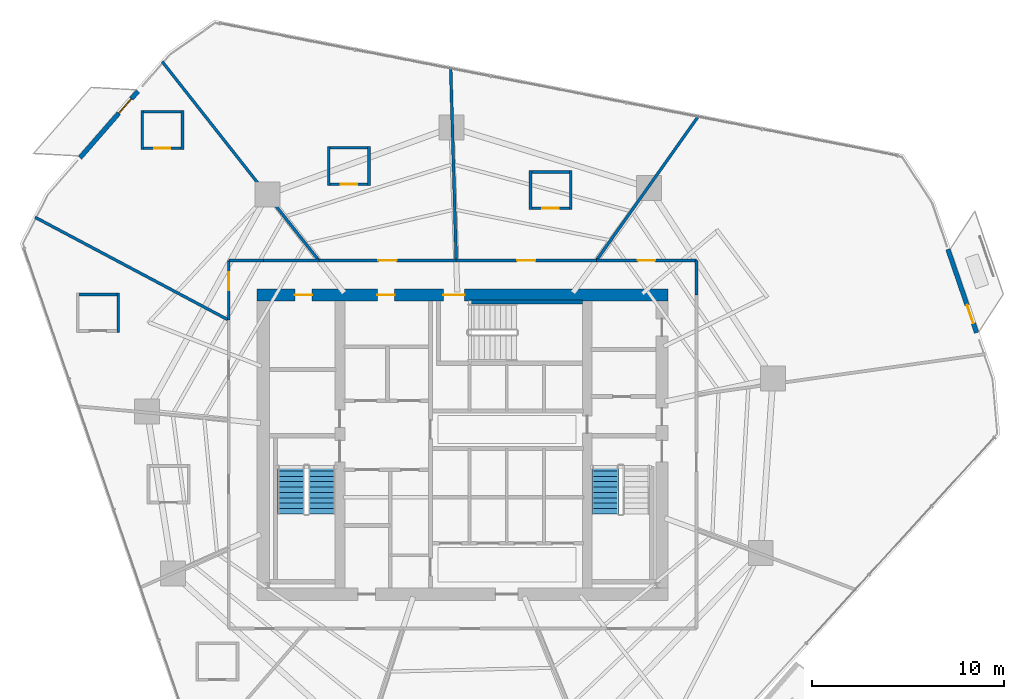
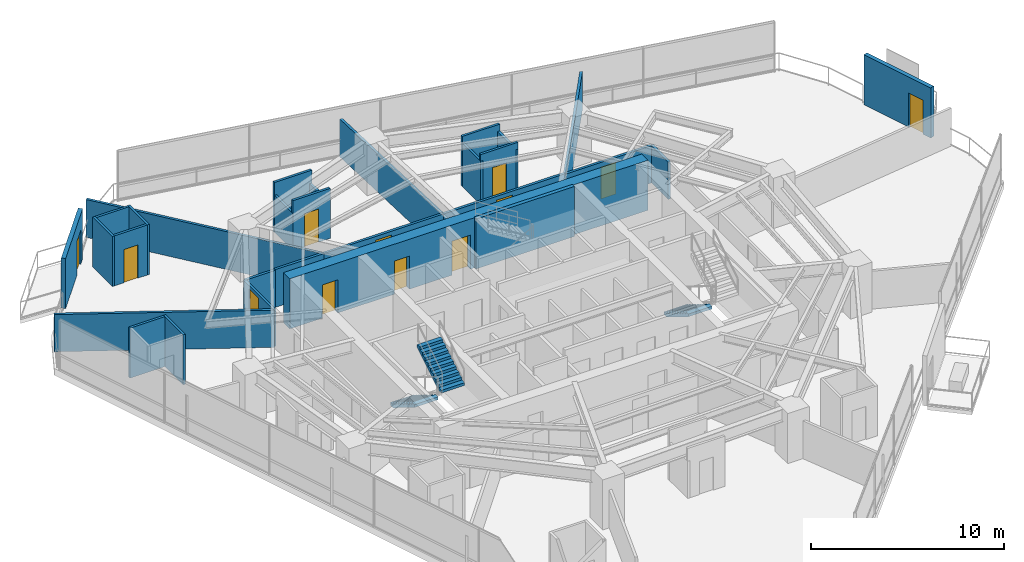
# One storey, part 28 of 33: 29 walls, 12 doors, 3 stair flights, 12 openings, 2 elements without a shape of their own.
"""IFC4 building model written with IfcOpenShell, lengths in metres."""

import ifcopenshell
import ifcopenshell.guid

model = None  # the IFC model being written
_history = None  # IfcOwnerHistory: only IFC2X3 demands one
_inside = {}  # id of a spatial element -> (the spatial element, [elements in it])
_under = {}  # id of a project, library or spatial element -> (it, [spatial elements below it])
_declared = {}  # id of a project -> (the project, [libraries it declares])
_typed = {}  # id of a type object -> (the type object, [elements of that type])
_made_of = {}  # id of a material, layer set ... -> (it, [elements and type objects made of it])


def new_model(schema):
    """Start an empty IFC model of exactly this schema.

    Asked for "IFC4X3", IfcOpenShell would pick the latest addendum, in which some entities
    have other attributes; the version numbers below select the first issue.
    IFC2X3 requires an IfcOwnerHistory on every rooted entity: one is made here for all.
    """
    global model, _history
    if schema == "IFC4X3":
        model = ifcopenshell.file(schema_version=(4, 3, 0, 0))
    else:
        model = ifcopenshell.file(schema=schema)
    _inside.clear()
    _under.clear()
    _declared.clear()
    _typed.clear()
    _made_of.clear()
    _history = None
    if model.schema == "IFC2X3":
        org = make("IfcOrganization", Name="unknown")
        user = make(
            "IfcPersonAndOrganization",
            ThePerson=make("IfcPerson", FamilyName="unknown"),
            TheOrganization=org,
        )
        app = make(
            "IfcApplication",
            ApplicationDeveloper=org,
            Version="unknown",
            ApplicationFullName="unknown",
            ApplicationIdentifier="unknown",
        )
        _history = make(
            "IfcOwnerHistory",
            OwningUser=user,
            OwningApplication=app,
            ChangeAction="ADDED",
            CreationDate=0,
        )
    return model


def make(cls, **values):
    """One entity of the class cls with the attributes given. An attribute that is None is left unset."""
    return model.create_entity(
        cls, **{name: value for name, value in values.items() if value is not None}
    )


def rooted(cls, **values):
    """An entity with a GlobalId (a new one), such as an element, a storey or a relation."""
    return make(cls, GlobalId=ifcopenshell.guid.new(), OwnerHistory=_history, **values)


def si_unit(unit_type, name, prefix=None):
    """IfcSIUnit, for example si_unit("LENGTHUNIT", "METRE", prefix="MILLI")."""
    return make("IfcSIUnit", UnitType=unit_type, Prefix=prefix, Name=name)


def assignment(units):
    """IfcUnitAssignment: the units of a project."""
    return None if units is None else make("IfcUnitAssignment", Units=units)


def point(xyz):
    """IfcCartesianPoint."""
    return None if xyz is None else make("IfcCartesianPoint", Coordinates=xyz)


def direction(xyz):
    """IfcDirection."""
    return None if xyz is None else make("IfcDirection", DirectionRatios=xyz)


def frame(location, z_axis=None, x_axis=None):
    """IfcAxis2Placement3D, a coordinate frame: its origin and axes. An axis left out is left unset."""
    return make(
        "IfcAxis2Placement3D",
        Location=point(location),
        Axis=direction(z_axis),
        RefDirection=direction(x_axis),
    )


def frame_2d(location, x_axis=None):
    """IfcAxis2Placement2D, a coordinate frame in the plane: its origin and x axis."""
    return make(
        "IfcAxis2Placement2D", Location=point(location), RefDirection=direction(x_axis)
    )


def origin():
    """The frame at (0, 0, 0) with its axes left unset."""
    return frame((0.0, 0.0, 0.0))


def place(relative_to, where):
    """IfcLocalPlacement: puts the frame where relative to a parent placement (None: the world)."""
    return make(
        "IfcLocalPlacement", PlacementRelTo=relative_to, RelativePlacement=where
    )


def context(
    kind, dimensions, precision=None, world=None, true_north=None, identifier=None
):
    """IfcGeometricRepresentationContext, for example the 3D "Model" context."""
    return make(
        "IfcGeometricRepresentationContext",
        ContextIdentifier=identifier,
        ContextType=kind,
        CoordinateSpaceDimension=dimensions,
        Precision=precision,
        WorldCoordinateSystem=world,
        TrueNorth=true_north,
    )


def subcontext(parent, identifier, kind, view, scale=None):
    """IfcGeometricRepresentationSubContext, for example "Body" below "Model"."""
    return make(
        "IfcGeometricRepresentationSubContext",
        ContextIdentifier=identifier,
        ContextType=kind,
        ParentContext=parent,
        TargetScale=scale,
        TargetView=view,
    )


def project(units=None, contexts=None):
    """IfcProject with its units and contexts."""
    return rooted(
        "IfcProject",
        Name="project",
        RepresentationContexts=contexts,
        UnitsInContext=assignment(units),
    )


def spatial(cls, under=None, at=None, **own):
    """A site, building, storey or space (cls), placed at a placement, below another one or the project."""
    s = rooted(cls, ObjectPlacement=at, **own)
    if under is not None:
        _under.setdefault(under.id(), (under, []))[1].append(s)
    return s


def polyline(points):
    """IfcPolyline through the points."""
    return make("IfcPolyline", Points=[point(p) for p in points])


def profile(cls, at=None, kind="AREA", **sizes):
    """A parametric profile (cls). Its sizes go by their IFC names, for example OverallWidth=200.0."""
    return make(cls, ProfileType=kind, Position=at, **sizes)


def rectangle(**sizes):
    """IfcRectangleProfileDef."""
    return profile("IfcRectangleProfileDef", **sizes)


def outline(outer, holes=None, kind="AREA"):
    """IfcArbitraryClosedProfileDef: a profile drawn as a closed curve; with holes, ...WithVoids."""
    if holes is None:
        return make("IfcArbitraryClosedProfileDef", ProfileType=kind, OuterCurve=outer)
    return make(
        "IfcArbitraryProfileDefWithVoids",
        ProfileType=kind,
        OuterCurve=outer,
        InnerCurves=holes,
    )


def extrude(swept, where, along, depth):
    """IfcExtrudedAreaSolid: the profile swept, set in the frame where, extruded along a direction by depth."""
    return make(
        "IfcExtrudedAreaSolid",
        SweptArea=swept,
        Position=where,
        ExtrudedDirection=direction(along),
        Depth=depth,
    )


def shape(context_of_items, identifier, shape_type, items):
    """IfcShapeRepresentation: the items that make up one representation, for example the "Body"."""
    return make(
        "IfcShapeRepresentation",
        ContextOfItems=context_of_items,
        RepresentationIdentifier=identifier,
        RepresentationType=shape_type,
        Items=items,
    )


def material(Name=None, Category=None):
    """IfcMaterial."""
    return make("IfcMaterial", Name=Name, Category=Category)


def layer(
    of_material, thickness, ventilated=None, Name=None, Category=None, Priority=None
):
    """IfcMaterialLayer: one layer of a wall or slab, of a material (None: an air gap)."""
    return make(
        "IfcMaterialLayer",
        Material=of_material,
        LayerThickness=thickness,
        IsVentilated=ventilated,
        Name=Name,
        Category=Category,
        Priority=Priority,
    )


def layer_set(layers, Name=None):
    """IfcMaterialLayerSet."""
    return make("IfcMaterialLayerSet", MaterialLayers=layers, LayerSetName=Name)


def made_of(thing, what):
    """Note that an element or type object is made of a material, layer set ...; save() writes the relation."""
    if what is not None:
        _made_of.setdefault(what.id(), (what, []))[1].append(thing)
    return thing


def type_object(cls, material=None, **own):
    """A type object (cls), such as IfcWallType, which elements share."""
    return made_of(rooted(cls, **own), material)


def element(
    cls,
    number,
    at=None,
    inside=None,
    cuts=None,
    type_object=None,
    material=None,
    context=None,
    identifier="Body",
    shape_type=None,
    held_by="IfcProductDefinitionShape",
    body=None,
    shapes=None,
    **own,
):
    """One element of the class cls, such as IfcWall. Its Tag is "e" and its number.

    at: its placement. inside: the storey or other place that contains it. cuts: it is an
    opening in that element (IfcRelVoidsElement). A single representation is given by context,
    identifier, shape_type and body (its items); several are given by shapes. held_by: the class
    of the entity that holds the representations. save() writes the other relations.
    """
    e = rooted(cls, Tag="e%d" % number, ObjectPlacement=at, **own)
    if body is not None:
        shapes = [shape(context, identifier, shape_type, body)]
    if shapes is not None:
        e.Representation = make(held_by, Representations=shapes)
    if inside is not None:
        _inside.setdefault(inside.id(), (inside, []))[1].append(e)
    if cuts is not None:
        rooted(
            "IfcRelVoidsElement", RelatingBuildingElement=cuts, RelatedOpeningElement=e
        )
    if type_object is not None:
        _typed.setdefault(type_object.id(), (type_object, []))[1].append(e)
    return made_of(e, material)


def fill(opening, filler):
    """IfcRelFillsElement: the door or window that sits in an opening."""
    return rooted(
        "IfcRelFillsElement",
        RelatingOpeningElement=opening,
        RelatedBuildingElement=filler,
    )


def aggregate(whole, parts):
    """IfcRelAggregates: a whole, such as a stair, and the parts it consists of."""
    return rooted("IfcRelAggregates", RelatingObject=whole, RelatedObjects=parts)


def save(model, path):
    """Write the relations noted so far, then the file.

    IfcRelAggregates (storeys below a building ...), IfcRelContainedInSpatialStructure (elements
    in a storey), IfcRelDefinesByType, IfcRelAssociatesMaterial and IfcRelDeclares: one each for
    every whole, place, type object, material and project.
    """
    for whole, parts in _under.values():
        aggregate(whole, parts)
    for where, things in _inside.values():
        rooted(
            "IfcRelContainedInSpatialStructure",
            RelatedElements=things,
            RelatingStructure=where,
        )
    for kind, things in _typed.values():
        rooted("IfcRelDefinesByType", RelatedObjects=things, RelatingType=kind)
    for what, things in _made_of.values():
        rooted("IfcRelAssociatesMaterial", RelatedObjects=things, RelatingMaterial=what)
    for by, libraries in _declared.values():
        rooted("IfcRelDeclares", RelatingContext=by, RelatedDefinitions=libraries)
    model.write(path)


model = new_model("IFC4")

# Units and contexts
model_context = context("Model", 3, precision=1e-05, world=origin(), true_north=direction((0.0, 1.0)))
body_context = subcontext(model_context, "Body", "Model", "MODEL_VIEW")
ifc_project = project(units=[si_unit("LENGTHUNIT", "METRE"), si_unit("AREAUNIT", "SQUARE_METRE"), si_unit("VOLUMEUNIT", "CUBIC_METRE"), si_unit("PLANEANGLEUNIT", "RADIAN"), si_unit("MASSUNIT", "GRAM", prefix="KILO")], contexts=[model_context])

# Site, building, storey
site_placement = place(None, origin())
site = spatial("IfcSite", under=ifc_project, at=site_placement, CompositionType="ELEMENT")
building_placement = place(site_placement, origin())
building = spatial("IfcBuilding", under=site, at=building_placement, Name="Qarnah Convention Tower", CompositionType="ELEMENT")
storey_placement = place(building_placement, frame((0.0, 0.0, 27.0)))
storey = spatial("IfcBuildingStorey", under=building, at=storey_placement, Name="L05", CompositionType="ELEMENT", Elevation=27.0)

# Wall, openings, doors
ifc_material_1 = material(Name="Concrete C60/75", Category="concrete")
ifc_layer_1 = layer(ifc_material_1, 0.64990234375)
ifc_layer_set_1 = layer_set([ifc_layer_1], Name="Concrete C60/75")
wall_type_1 = type_object("IfcWallType", Name="WL-CORE-650", PredefinedType="SHEAR", material=ifc_layer_set_1)
wall_1_placement = place(storey_placement, frame((26.47509765625, 34.199951171875, 0.0), z_axis=(0.0, 0.0, 1.0), x_axis=(1.0, 0.0, 0.0)))
wall_1 = element("IfcWall", 1, at=wall_1_placement, inside=storey, type_object=wall_type_1, Name="L05 core north shear wall", PredefinedType="SHEAR", context=body_context, shape_type="SweptSolid", body=[
    extrude(rectangle(XDim=21.449951171875, YDim=0.64990234375, at=frame_2d((10.72509765625, 0.0))), origin(), (0.0, 0.0, 1.0), 3.169921875),
])
opening_1_placement = place(wall_1_placement, frame((9.72509765625, 0.0, 0.0)))
opening_1 = element("IfcOpeningElement", 2, at=opening_1_placement, cuts=wall_1, Name="Opening D-0503", PredefinedType="OPENING", context=body_context, shape_type="SweptSolid", body=[
    extrude(rectangle(XDim=1.10009765625, YDim=2.14990234375, at=frame_2d((0.550048828125, 1.074951171875))), frame((0.0, 0.3349609375, 0.0), z_axis=(0.0, -1.0, 0.0), x_axis=(1.0, 0.0, 0.0)), (0.0, 0.0, 1.0), 0.669921875),
])
opening_2_placement = place(wall_1_placement, frame((1.97509765625, 0.0, 0.0)))
opening_2 = element("IfcOpeningElement", 3, at=opening_2_placement, cuts=wall_1, Name="Opening D-0509", PredefinedType="OPENING", context=body_context, shape_type="SweptSolid", body=[
    extrude(rectangle(XDim=0.89990234375, YDim=2.10009765625, at=frame_2d((0.449951171875, 1.050048828125))), frame((0.0, 0.3349609375, 0.0), z_axis=(0.0, -1.0, 0.0), x_axis=(1.0, 0.0, 0.0)), (0.0, 0.0, 1.0), 0.669921875),
])
opening_3_placement = place(wall_1_placement, frame((6.27490234375, 0.0, 0.0)))
opening_3 = element("IfcOpeningElement", 4, at=opening_3_placement, cuts=wall_1, Name="Opening D-0510", PredefinedType="OPENING", context=body_context, shape_type="SweptSolid", body=[
    extrude(rectangle(XDim=0.89990234375, YDim=2.10009765625, at=frame_2d((0.449951171875, 1.050048828125))), frame((0.0, 0.3349609375, 0.0), z_axis=(0.0, -1.0, 0.0), x_axis=(1.0, 0.0, 0.0)), (0.0, 0.0, 1.0), 0.669921875),
])
ifc_material_2 = material(Name="Structural steel S355JR", Category="steel")
door_type_1 = type_object("IfcDoorType", Name="DT-RISER-900", OperationType="NOTDEFINED", PredefinedType="DOOR", material=ifc_material_2)
door_1_placement = place(opening_2_placement, origin())
door_1 = element("IfcDoor", 5, at=door_1_placement, inside=storey, type_object=door_type_1, Name="Door D-0509", OperationType="SINGLE_SWING_LEFT", OverallHeight=2.10009765625, OverallWidth=0.89990234375, PredefinedType="DOOR", context=body_context, shape_type="SweptSolid", body=[
    extrude(rectangle(XDim=0.89990234375, YDim=2.10009765625, at=frame_2d((0.449951171875, 1.050048828125))), frame((0.0, 0.02490234375, 0.0), z_axis=(0.0, -1.0, 0.0), x_axis=(1.0, 0.0, 0.0)), (0.0, 0.0, 1.0), 0.050048828125),
])
fill(opening_2, door_1)
door_2_placement = place(opening_3_placement, origin())
door_2 = element("IfcDoor", 6, at=door_2_placement, inside=storey, type_object=door_type_1, Name="Door D-0510", OperationType="SINGLE_SWING_RIGHT", OverallHeight=2.10009765625, OverallWidth=0.89990234375, PredefinedType="DOOR", context=body_context, shape_type="SweptSolid", body=[
    extrude(rectangle(XDim=0.89990234375, YDim=2.10009765625, at=frame_2d((0.449951171875, 1.050048828125))), frame((0.0, 0.02490234375, 0.0), z_axis=(0.0, -1.0, 0.0), x_axis=(1.0, 0.0, 0.0)), (0.0, 0.0, 1.0), 0.050048828125),
])
fill(opening_3, door_2)
door_type_2 = type_object("IfcDoorType", Name="DT-STAIR-1100", OperationType="NOTDEFINED", PredefinedType="DOOR", material=ifc_material_2)
door_3_placement = place(opening_1_placement, origin())
door_3 = element("IfcDoor", 7, at=door_3_placement, inside=storey, type_object=door_type_2, Name="Door D-0503", OperationType="SINGLE_SWING_LEFT", OverallHeight=2.14990234375, OverallWidth=1.10009765625, PredefinedType="DOOR", context=body_context, shape_type="SweptSolid", body=[
    extrude(rectangle(XDim=1.10009765625, YDim=2.14990234375, at=frame_2d((0.550048828125, 1.074951171875))), frame((0.0, 0.02490234375, 0.0), z_axis=(0.0, -1.0, 0.0), x_axis=(1.0, 0.0, 0.0)), (0.0, 0.0, 1.0), 0.050048828125),
])
fill(opening_1, door_3)

# Wall
ifc_layer_2 = layer(ifc_material_1, 0.219970703125)
ifc_layer_set_2 = layer_set([ifc_layer_2], Name="Concrete C60/75")
wall_type_2 = type_object("IfcWallType", Name="WL-CORE-STAIR-220", PredefinedType="SHEAR", material=ifc_layer_set_2)
wall_2_placement = place(storey_placement, frame((37.550048828125, 33.840087890625, 0.0), z_axis=(0.0, 0.0, 1.0), x_axis=(1.0, 0.0, 0.0)))
element("IfcWall", 8, at=wall_2_placement, inside=storey, type_object=wall_type_2, Name="L05 stair shaft shear wall SW-L05-ST3N", PredefinedType="SHEAR", context=body_context, shape_type="SweptSolid", body=[
    extrude(rectangle(XDim=5.89990234375, YDim=0.219970703125, at=frame_2d((2.949951171875, 0.0))), origin(), (0.0, 0.0, 1.0), 3.169921875),
])

# Wall, opening, door
ifc_material_3 = material(Name="Precast concrete C45/55", Category="concrete")
ifc_layer_3 = layer(ifc_material_3, 0.239990234375)
ifc_layer_set_3 = layer_set([ifc_layer_3], Name="Precast concrete C45/55")
wall_type_3 = type_object("IfcWallType", Name="WL-EXT-BAL-240", PredefinedType="SOLIDWALL", material=ifc_layer_set_3)
wall_3_placement = place(storey_placement, frame((62.51708984375, 36.5830078125, 0.0), z_axis=(0.0, 0.0, 1.0), x_axis=(0.3249877985, -0.945718208996, 0.0)))
wall_3 = element("IfcWall", 9, at=wall_3_placement, inside=storey, type_object=wall_type_3, Name="L05 loggia threshold wall BAL-L05-C1", PredefinedType="SOLIDWALL", context=body_context, shape_type="SweptSolid", body=[
    extrude(rectangle(XDim=4.599853515625, YDim=0.239990234375, at=frame_2d((2.2998046875, 0.0))), origin(), (0.0, 0.0, 1.0), 3.169921875),
])
opening_4_placement = place(wall_3_placement, frame((3.080078125, 0.0, 0.0)))
opening_4 = element("IfcOpeningElement", 10, at=opening_4_placement, cuts=wall_3, Name="Opening BD-0501", PredefinedType="OPENING", context=body_context, shape_type="SweptSolid", body=[
    extrude(rectangle(XDim=1.0, YDim=2.14990234375, at=frame_2d((0.5, 1.074951171875))), frame((0.0, 0.1298828125, 0.0), z_axis=(0.0, -1.0, 0.0), x_axis=(1.0, 0.0, 0.0)), (0.0, 0.0, 1.0), 0.260009765625),
])
ifc_material_4 = material(Name="Black anodised aluminium", Category="aluminium")
door_type_3 = type_object("IfcDoorType", Name="DT-BAL-1000", OperationType="NOTDEFINED", PredefinedType="DOOR", material=ifc_material_4)
door_4_placement = place(opening_4_placement, origin())
door_4 = element("IfcDoor", 11, at=door_4_placement, inside=storey, type_object=door_type_3, Name="L05 balcony terrace door BAL-L05-C1", OperationType="SINGLE_SWING_LEFT", OverallHeight=2.14990234375, OverallWidth=1.0, PredefinedType="DOOR", context=body_context, shape_type="SweptSolid", body=[
    extrude(rectangle(XDim=1.0, YDim=2.14990234375, at=frame_2d((0.5, 1.074951171875))), frame((0.0, 0.02490234375, 0.0), z_axis=(0.0, -1.0, 0.0), x_axis=(1.0, 0.0, 0.0)), (0.0, 0.0, 1.0), 0.050048828125),
])
fill(opening_4, door_4)

wall_4_placement = place(storey_placement, frame((17.239990234375, 41.35791015625, 0.0), z_axis=(0.0, 0.0, 1.0), x_axis=(0.656612282537, 0.754228288001, 0.0)))
wall_4 = element("IfcWall", 12, at=wall_4_placement, inside=storey, type_object=wall_type_3, Name="L05 loggia threshold wall BAL-L05-C2", PredefinedType="SOLIDWALL", context=body_context, shape_type="SweptSolid", body=[
    extrude(rectangle(XDim=4.599365234375, YDim=0.239990234375, at=frame_2d((2.2998046875, 0.0))), origin(), (0.0, 0.0, 1.0), 3.169921875),
])
opening_5_placement = place(wall_4_placement, frame((3.0791015625, 0.0, 0.0)))
opening_5 = element("IfcOpeningElement", 13, at=opening_5_placement, cuts=wall_4, Name="Opening BD-0502", PredefinedType="OPENING", context=body_context, shape_type="SweptSolid", body=[
    extrude(rectangle(XDim=1.0, YDim=2.14990234375, at=frame_2d((0.5, 1.074951171875))), frame((0.0, 0.1298828125, 0.0), z_axis=(0.0, -1.0, 0.0), x_axis=(1.0, 0.0, 0.0)), (0.0, 0.0, 1.0), 0.260009765625),
])
door_5_placement = place(opening_5_placement, origin())
door_5 = element("IfcDoor", 14, at=door_5_placement, inside=storey, type_object=door_type_3, Name="L05 balcony terrace door BAL-L05-C2", OperationType="SINGLE_SWING_RIGHT", OverallHeight=2.14990234375, OverallWidth=1.0, PredefinedType="DOOR", context=body_context, shape_type="SweptSolid", body=[
    extrude(rectangle(XDim=1.0, YDim=2.14990234375, at=frame_2d((0.5, 1.074951171875))), frame((0.0, 0.02490234375, 0.0), z_axis=(0.0, -1.0, 0.0), x_axis=(1.0, 0.0, 0.0)), (0.0, 0.0, 1.0), 0.050048828125),
])
fill(opening_5, door_5)

# Wall
ifc_material_5 = material(Name="Gypsum partition board")
ifc_layer_4 = layer(ifc_material_5, 0.14990234375)
ifc_layer_set_4 = layer_set([ifc_layer_4], Name="Gypsum partition board")
wall_type_4 = type_object("IfcWallType", Name="WL-SUITE-150", PredefinedType="PARTITIONING", material=ifc_layer_set_4)
wall_5_placement = place(storey_placement, frame((49.510986328125, 43.544921875, 0.0), z_axis=(0.0, 0.0, 1.0), x_axis=(-0.577413180471, -0.816452092298, 0.0)))
element("IfcWall", 15, at=wall_5_placement, inside=storey, type_object=wall_type_4, Name="L05 interior wall IW-L05-R-37", PredefinedType="PARTITIONING", context=body_context, shape_type="SweptSolid", body=[
    extrude(rectangle(XDim=9.2412109375, YDim=0.14990234375, at=frame_2d((4.62060546875, 0.0))), origin(), (0.0, 0.0, 1.0), 2.39501953125),
])

# Wall, opening, door
wall_6_placement = place(storey_placement, frame((44.175048828125, 36.0, 0.0), z_axis=(0.0, 0.0, 1.0), x_axis=(1.0, 0.0, 0.0)))
wall_6 = element("IfcWall", 16, at=wall_6_placement, inside=storey, type_object=wall_type_4, Name="L05 interior wall IW-L05-R-38", PredefinedType="PARTITIONING", context=body_context, shape_type="SweptSolid", body=[
    extrude(rectangle(XDim=5.224853515625, YDim=0.14990234375, at=frame_2d((2.6123046875, 0.0))), origin(), (0.0, 0.0, 1.0), 2.35498046875),
])
opening_6_placement = place(wall_6_placement, frame((2.1630859375, 0.0, 0.0)))
opening_6 = element("IfcOpeningElement", 17, at=opening_6_placement, cuts=wall_6, Name="Opening D-0516", PredefinedType="OPENING", context=body_context, shape_type="SweptSolid", body=[
    extrude(rectangle(XDim=0.89990234375, YDim=2.0, at=frame_2d((0.449951171875, 1.0))), frame((0.0, 0.0849609375, 0.0), z_axis=(0.0, -1.0, 0.0), x_axis=(1.0, 0.0, 0.0)), (0.0, 0.0, 1.0), 0.169921875),
])
door_type_4 = type_object("IfcDoorType", Name="DT-PLANT-900", OperationType="NOTDEFINED", PredefinedType="DOOR", material=ifc_material_2)
door_6_placement = place(opening_6_placement, origin())
door_6 = element("IfcDoor", 18, at=door_6_placement, inside=storey, type_object=door_type_4, Name="Door D-0516", OperationType="SINGLE_SWING_RIGHT", OverallHeight=2.0, OverallWidth=0.89990234375, PredefinedType="DOOR", context=body_context, shape_type="SweptSolid", body=[
    extrude(rectangle(XDim=0.89990234375, YDim=2.0, at=frame_2d((0.449951171875, 1.0))), frame((0.0, 0.02490234375, 0.0), z_axis=(0.0, -1.0, 0.0), x_axis=(1.0, 0.0, 0.0)), (0.0, 0.0, 1.0), 0.050048828125),
])
fill(opening_6, door_6)

# Walls
wall_7_placement = place(storey_placement, frame((49.39990234375, 36.0, 0.0), z_axis=(0.0, 0.0, 1.0), x_axis=(0.0, -1.0, 0.0)))
element("IfcWall", 19, at=wall_7_placement, inside=storey, type_object=wall_type_4, Name="L05 interior wall IW-L05-R-39", PredefinedType="PARTITIONING", context=body_context, shape_type="SweptSolid", body=[
    extrude(rectangle(XDim=1.800048828125, YDim=0.14990234375, at=frame_2d((0.89990234375, 0.0))), origin(), (0.0, 0.0, 1.0), 2.35498046875),
])
wall_8_placement = place(storey_placement, frame((36.575927734375, 46.06298828125, 0.0), z_axis=(0.0, 0.0, 1.0), x_axis=(0.028713470257, -0.99958768331, 0.0)))
element("IfcWall", 20, at=wall_8_placement, inside=storey, type_object=wall_type_4, Name="L05 interior wall IW-L05-R-42", PredefinedType="PARTITIONING", context=body_context, shape_type="SweptSolid", body=[
    extrude(rectangle(XDim=10.067138671875, YDim=0.14990234375, at=frame_2d((5.03369140625, 0.0))), origin(), (0.0, 0.0, 1.0), 2.39501953125),
])

# Wall, opening, door
wall_9_placement = place(storey_placement, frame((36.864990234375, 36.0, 0.0), z_axis=(0.0, 0.0, 1.0), x_axis=(1.0, 0.0, 0.0)))
wall_9 = element("IfcWall", 21, at=wall_9_placement, inside=storey, type_object=wall_type_4, Name="L05 interior wall IW-L05-R-43", PredefinedType="PARTITIONING", context=body_context, shape_type="SweptSolid", body=[
    extrude(rectangle(XDim=7.31005859375, YDim=0.14990234375, at=frame_2d((3.655029296875, 0.0))), origin(), (0.0, 0.0, 1.0), 2.39501953125),
])
opening_7_placement = place(wall_9_placement, frame((3.179931640625, 0.0, 0.0)))
opening_7 = element("IfcOpeningElement", 22, at=opening_7_placement, cuts=wall_9, Name="Opening D-0517", PredefinedType="OPENING", context=body_context, shape_type="SweptSolid", body=[
    extrude(rectangle(XDim=0.949951171875, YDim=2.14990234375, at=frame_2d((0.47509765625, 1.074951171875))), frame((0.0, 0.0849609375, 0.0), z_axis=(0.0, -1.0, 0.0), x_axis=(1.0, 0.0, 0.0)), (0.0, 0.0, 1.0), 0.169921875),
])
ifc_material_6 = material(Name="Oak timber veneer", Category="wood")
door_type_5 = type_object("IfcDoorType", Name="DT-HOTEL-950", OperationType="NOTDEFINED", PredefinedType="DOOR", material=ifc_material_6)
door_7_placement = place(opening_7_placement, origin())
door_7 = element("IfcDoor", 23, at=door_7_placement, inside=storey, type_object=door_type_5, Name="Door D-0517", OperationType="SINGLE_SWING_LEFT", OverallHeight=2.14990234375, OverallWidth=0.949951171875, PredefinedType="DOOR", context=body_context, shape_type="SweptSolid", body=[
    extrude(rectangle(XDim=0.949951171875, YDim=2.14990234375, at=frame_2d((0.47509765625, 1.074951171875))), frame((0.0, 0.02490234375, 0.0), z_axis=(0.0, -1.0, 0.0), x_axis=(1.0, 0.0, 0.0)), (0.0, 0.0, 1.0), 0.050048828125),
])
fill(opening_7, door_7)

# Wall
wall_10_placement = place(storey_placement, frame((21.52587890625, 46.3759765625, 0.0), z_axis=(0.0, 0.0, 1.0), x_axis=(0.618828337745, -0.785526249341, 0.0)))
element("IfcWall", 24, at=wall_10_placement, inside=storey, type_object=wall_type_4, Name="L05 interior wall IW-L05-R-44", PredefinedType="PARTITIONING", context=body_context, shape_type="SweptSolid", body=[
    extrude(rectangle(XDim=13.208984375, YDim=0.14990234375, at=frame_2d((6.6044921875, 0.0))), origin(), (0.0, 0.0, 1.0), 2.39501953125),
])

# Wall, opening, door
wall_11_placement = place(storey_placement, frame((29.699951171875, 36.0, 0.0), z_axis=(0.0, 0.0, 1.0), x_axis=(1.0, 0.0, 0.0)))
wall_11 = element("IfcWall", 25, at=wall_11_placement, inside=storey, type_object=wall_type_4, Name="L05 interior wall IW-L05-R-45", PredefinedType="PARTITIONING", context=body_context, shape_type="SweptSolid", body=[
    extrude(rectangle(XDim=7.1650390625, YDim=0.14990234375, at=frame_2d((3.58251953125, 0.0))), origin(), (0.0, 0.0, 1.0), 2.39501953125),
])
opening_8_placement = place(wall_11_placement, frame((3.10791015625, 0.0, 0.0)))
opening_8 = element("IfcOpeningElement", 26, at=opening_8_placement, cuts=wall_11, Name="Opening D-0519", PredefinedType="OPENING", context=body_context, shape_type="SweptSolid", body=[
    extrude(rectangle(XDim=0.949951171875, YDim=2.14990234375, at=frame_2d((0.47509765625, 1.074951171875))), frame((0.0, 0.0849609375, 0.0), z_axis=(0.0, -1.0, 0.0), x_axis=(1.0, 0.0, 0.0)), (0.0, 0.0, 1.0), 0.169921875),
])
door_8_placement = place(opening_8_placement, origin())
door_8 = element("IfcDoor", 27, at=door_8_placement, inside=storey, type_object=door_type_5, Name="Door D-0519", OperationType="SINGLE_SWING_LEFT", OverallHeight=2.14990234375, OverallWidth=0.949951171875, PredefinedType="DOOR", context=body_context, shape_type="SweptSolid", body=[
    extrude(rectangle(XDim=0.949951171875, YDim=2.14990234375, at=frame_2d((0.47509765625, 1.074951171875))), frame((0.0, 0.02490234375, 0.0), z_axis=(0.0, -1.0, 0.0), x_axis=(1.0, 0.0, 0.0)), (0.0, 0.0, 1.0), 0.050048828125),
])
fill(opening_8, door_8)

# Wall
wall_12_placement = place(storey_placement, frame((14.89599609375, 38.25390625, 0.0), z_axis=(0.0, 0.0, 1.0), x_axis=(0.883145004314, -0.469100097372, 0.0)))
element("IfcWall", 28, at=wall_12_placement, inside=storey, type_object=wall_type_4, Name="L05 interior wall IW-L05-R-46", PredefinedType="PARTITIONING", context=body_context, shape_type="SweptSolid", body=[
    extrude(rectangle(XDim=11.44091796875, YDim=0.14990234375, at=frame_2d((5.720458984375, 0.0))), origin(), (0.0, 0.0, 1.0), 2.35498046875),
])

# Wall, opening, door
wall_13_placement = place(storey_placement, frame((25.0, 32.886962890625, 0.0), z_axis=(0.0, 0.0, 1.0), x_axis=(0.0, 1.0, 0.0)))
wall_13 = element("IfcWall", 29, at=wall_13_placement, inside=storey, type_object=wall_type_4, Name="L05 interior wall IW-L05-R-47", PredefinedType="PARTITIONING", context=body_context, shape_type="SweptSolid", body=[
    extrude(rectangle(XDim=3.113037109375, YDim=0.14990234375, at=frame_2d((1.556640625, 0.0))), origin(), (0.0, 0.0, 1.0), 2.35498046875),
])
opening_9_placement = place(wall_13_placement, frame((1.56201171875, 0.0, 0.0)))
opening_9 = element("IfcOpeningElement", 30, at=opening_9_placement, cuts=wall_13, Name="Opening D-0521", PredefinedType="OPENING", context=body_context, shape_type="SweptSolid", body=[
    extrude(rectangle(XDim=0.949951171875, YDim=2.14990234375, at=frame_2d((0.47509765625, 1.074951171875))), frame((0.0, 0.0849609375, 0.0), z_axis=(0.0, -1.0, 0.0), x_axis=(1.0, 0.0, 0.0)), (0.0, 0.0, 1.0), 0.169921875),
])
door_9_placement = place(opening_9_placement, origin())
door_9 = element("IfcDoor", 31, at=door_9_placement, inside=storey, type_object=door_type_5, Name="Door D-0521", OperationType="SINGLE_SWING_LEFT", OverallHeight=2.14990234375, OverallWidth=0.949951171875, PredefinedType="DOOR", context=body_context, shape_type="SweptSolid", body=[
    extrude(rectangle(XDim=0.949951171875, YDim=2.14990234375, at=frame_2d((0.47509765625, 1.074951171875))), frame((0.0, 0.02490234375, 0.0), z_axis=(0.0, -1.0, 0.0), x_axis=(1.0, 0.0, 0.0)), (0.0, 0.0, 1.0), 0.050048828125),
])
fill(opening_9, door_9)

# Walls
wall_14_placement = place(storey_placement, frame((25.0, 36.0, 0.0), z_axis=(0.0, 0.0, 1.0), x_axis=(1.0, 0.0, 0.0)))
element("IfcWall", 32, at=wall_14_placement, inside=storey, type_object=wall_type_4, Name="L05 interior wall IW-L05-R-48", PredefinedType="PARTITIONING", context=body_context, shape_type="SweptSolid", body=[
    extrude(rectangle(XDim=1.800048828125, YDim=0.14990234375, at=frame_2d((0.89990234375, 0.0))), origin(), (0.0, 0.0, 1.0), 2.35498046875),
])
wall_15_placement = place(storey_placement, frame((26.800048828125, 36.0, 0.0), z_axis=(0.0, 0.0, 1.0), x_axis=(1.0, 0.0, 0.0)))
element("IfcWall", 33, at=wall_15_placement, inside=storey, type_object=wall_type_4, Name="L05 interior wall IW-L05-R-49", PredefinedType="PARTITIONING", context=body_context, shape_type="SweptSolid", body=[
    extrude(rectangle(XDim=2.89990234375, YDim=0.14990234375, at=frame_2d((1.449951171875, 0.0))), origin(), (0.0, 0.0, 1.0), 2.39501953125),
])

# Wall, opening, door
ifc_layer_5 = layer(ifc_material_5, 0.139892578125)
ifc_layer_set_5 = layer_set([ifc_layer_5], Name="Gypsum partition board")
wall_type_5 = type_object("IfcWallType", Name="WL-WET-140", PredefinedType="PARTITIONING", material=ifc_layer_set_5)
wall_16_placement = place(storey_placement, frame((40.66796875, 38.718017578125, 0.0), z_axis=(0.0, 0.0, 1.0), x_axis=(1.0, 0.0, 0.0)))
wall_16 = element("IfcWall", 34, at=wall_16_placement, inside=storey, type_object=wall_type_5, Name="L05 interior wall IW-L05-ENS01-1", PredefinedType="PARTITIONING", context=body_context, shape_type="SweptSolid", body=[
    extrude(rectangle(XDim=2.239990234375, YDim=0.139892578125, at=frame_2d((1.1201171875, 0.0))), origin(), (0.0, 0.0, 1.0), 3.169921875),
])
opening_10_placement = place(wall_16_placement, frame((0.695068359375, 0.0, 0.0)))
opening_10 = element("IfcOpeningElement", 35, at=opening_10_placement, cuts=wall_16, Name="Opening D-0518", PredefinedType="OPENING", context=body_context, shape_type="SweptSolid", body=[
    extrude(rectangle(XDim=0.85009765625, YDim=2.10009765625, at=frame_2d((0.425048828125, 1.050048828125))), frame((0.0, 0.079833984375, 0.0), z_axis=(0.0, -1.0, 0.0), x_axis=(1.0, 0.0, 0.0)), (0.0, 0.0, 1.0), 0.159912109375),
])
door_type_6 = type_object("IfcDoorType", Name="DT-BATH-850", OperationType="NOTDEFINED", PredefinedType="DOOR", material=ifc_material_6)
door_10_placement = place(opening_10_placement, origin())
door_10 = element("IfcDoor", 36, at=door_10_placement, inside=storey, type_object=door_type_6, Name="Door D-0518", OperationType="SINGLE_SWING_RIGHT", OverallHeight=2.10009765625, OverallWidth=0.85009765625, PredefinedType="DOOR", context=body_context, shape_type="SweptSolid", body=[
    extrude(rectangle(XDim=0.85009765625, YDim=2.10009765625, at=frame_2d((0.425048828125, 1.050048828125))), frame((0.0, 0.02490234375, 0.0), z_axis=(0.0, -1.0, 0.0), x_axis=(1.0, 0.0, 0.0)), (0.0, 0.0, 1.0), 0.050048828125),
])
fill(opening_10, door_10)

# Walls
wall_17_placement = place(storey_placement, frame((42.837890625, 38.64794921875, 0.0), z_axis=(0.0, 0.0, 1.0), x_axis=(0.0, 1.0, 0.0)))
element("IfcWall", 37, at=wall_17_placement, inside=storey, type_object=wall_type_5, Name="L05 interior wall IW-L05-ENS01-2", PredefinedType="PARTITIONING", context=body_context, shape_type="SweptSolid", body=[
    extrude(rectangle(XDim=2.0400390625, YDim=0.139892578125, at=frame_2d((1.02001953125, 0.0))), origin(), (0.0, 0.0, 1.0), 2.7470703125),
])
wall_18_placement = place(storey_placement, frame((42.907958984375, 40.617919921875, 0.0), z_axis=(0.0, 0.0, 1.0), x_axis=(-1.0, 0.0, 0.0)))
element("IfcWall", 38, at=wall_18_placement, inside=storey, type_object=wall_type_5, Name="L05 interior wall IW-L05-ENS01-3", PredefinedType="PARTITIONING", context=body_context, shape_type="SweptSolid", body=[
    extrude(rectangle(XDim=2.239990234375, YDim=0.139892578125, at=frame_2d((1.1201171875, 0.0))), origin(), (0.0, 0.0, 1.0), 3.169921875),
])
wall_19_placement = place(storey_placement, frame((40.738037109375, 40.68798828125, 0.0), z_axis=(0.0, 0.0, 1.0), x_axis=(0.0, -1.0, 0.0)))
element("IfcWall", 39, at=wall_19_placement, inside=storey, type_object=wall_type_5, Name="L05 interior wall IW-L05-ENS01-4", PredefinedType="PARTITIONING", context=body_context, shape_type="SweptSolid", body=[
    extrude(rectangle(XDim=2.0400390625, YDim=0.139892578125, at=frame_2d((1.02001953125, 0.0))), origin(), (0.0, 0.0, 1.0), 2.7470703125),
])

# Wall, opening, door
wall_20_placement = place(storey_placement, frame((30.14892578125, 39.98388671875, 0.0), z_axis=(0.0, 0.0, 1.0), x_axis=(1.0, 0.0, 0.0)))
wall_20 = element("IfcWall", 40, at=wall_20_placement, inside=storey, type_object=wall_type_5, Name="L05 interior wall IW-L05-ENS02-1", PredefinedType="PARTITIONING", context=body_context, shape_type="SweptSolid", body=[
    extrude(rectangle(XDim=2.239990234375, YDim=0.139892578125, at=frame_2d((1.1201171875, 0.0))), origin(), (0.0, 0.0, 1.0), 3.169921875),
])
opening_11_placement = place(wall_20_placement, frame((0.695068359375, 0.0, 0.0)))
opening_11 = element("IfcOpeningElement", 41, at=opening_11_placement, cuts=wall_20, Name="Opening D-0520", PredefinedType="OPENING", context=body_context, shape_type="SweptSolid", body=[
    extrude(rectangle(XDim=0.85009765625, YDim=2.10009765625, at=frame_2d((0.425048828125, 1.050048828125))), frame((0.0, 0.079833984375, 0.0), z_axis=(0.0, -1.0, 0.0), x_axis=(1.0, 0.0, 0.0)), (0.0, 0.0, 1.0), 0.159912109375),
])
door_11_placement = place(opening_11_placement, origin())
door_11 = element("IfcDoor", 42, at=door_11_placement, inside=storey, type_object=door_type_6, Name="Door D-0520", OperationType="SINGLE_SWING_RIGHT", OverallHeight=2.10009765625, OverallWidth=0.85009765625, PredefinedType="DOOR", context=body_context, shape_type="SweptSolid", body=[
    extrude(rectangle(XDim=0.85009765625, YDim=2.10009765625, at=frame_2d((0.425048828125, 1.050048828125))), frame((0.0, 0.02490234375, 0.0), z_axis=(0.0, -1.0, 0.0), x_axis=(1.0, 0.0, 0.0)), (0.0, 0.0, 1.0), 0.050048828125),
])
fill(opening_11, door_11)

# Walls
wall_21_placement = place(storey_placement, frame((32.319091796875, 39.9140625, 0.0), z_axis=(0.0, 0.0, 1.0), x_axis=(0.0, 1.0, 0.0)))
element("IfcWall", 43, at=wall_21_placement, inside=storey, type_object=wall_type_5, Name="L05 interior wall IW-L05-ENS02-2", PredefinedType="PARTITIONING", context=body_context, shape_type="SweptSolid", body=[
    extrude(rectangle(XDim=2.0400390625, YDim=0.139892578125, at=frame_2d((1.02001953125, 0.0))), origin(), (0.0, 0.0, 1.0), 2.35498046875),
])
wall_22_placement = place(storey_placement, frame((32.388916015625, 41.884033203125, 0.0), z_axis=(0.0, 0.0, 1.0), x_axis=(-1.0, 0.0, 0.0)))
element("IfcWall", 44, at=wall_22_placement, inside=storey, type_object=wall_type_5, Name="L05 interior wall IW-L05-ENS02-3", PredefinedType="PARTITIONING", context=body_context, shape_type="SweptSolid", body=[
    extrude(rectangle(XDim=2.239990234375, YDim=0.139892578125, at=frame_2d((1.1201171875, 0.0))), origin(), (0.0, 0.0, 1.0), 3.169921875),
])
wall_23_placement = place(storey_placement, frame((30.218994140625, 41.9541015625, 0.0), z_axis=(0.0, 0.0, 1.0), x_axis=(0.0, -1.0, 0.0)))
element("IfcWall", 45, at=wall_23_placement, inside=storey, type_object=wall_type_5, Name="L05 interior wall IW-L05-ENS02-4", PredefinedType="PARTITIONING", context=body_context, shape_type="SweptSolid", body=[
    extrude(rectangle(XDim=2.0400390625, YDim=0.139892578125, at=frame_2d((1.02001953125, 0.0))), origin(), (0.0, 0.0, 1.0), 2.35498046875),
])

# Wall, opening, door
wall_24_placement = place(storey_placement, frame((20.4140625, 41.85595703125, 0.0), z_axis=(0.0, 0.0, 1.0), x_axis=(1.0, 0.0, 0.0)))
wall_24 = element("IfcWall", 46, at=wall_24_placement, inside=storey, type_object=wall_type_5, Name="L05 interior wall IW-L05-ENS03-1", PredefinedType="PARTITIONING", context=body_context, shape_type="SweptSolid", body=[
    extrude(rectangle(XDim=2.239990234375, YDim=0.139892578125, at=frame_2d((1.1201171875, 0.0))), origin(), (0.0, 0.0, 1.0), 3.169921875),
])
opening_12_placement = place(wall_24_placement, frame((0.695068359375, 0.0, 0.0)))
opening_12 = element("IfcOpeningElement", 47, at=opening_12_placement, cuts=wall_24, Name="Opening D-0522", PredefinedType="OPENING", context=body_context, shape_type="SweptSolid", body=[
    extrude(rectangle(XDim=0.85009765625, YDim=2.10009765625, at=frame_2d((0.425048828125, 1.050048828125))), frame((0.0, 0.079833984375, 0.0), z_axis=(0.0, -1.0, 0.0), x_axis=(1.0, 0.0, 0.0)), (0.0, 0.0, 1.0), 0.159912109375),
])
door_12_placement = place(opening_12_placement, origin())
door_12 = element("IfcDoor", 48, at=door_12_placement, inside=storey, type_object=door_type_6, Name="Door D-0522", OperationType="SINGLE_SWING_RIGHT", OverallHeight=2.10009765625, OverallWidth=0.85009765625, PredefinedType="DOOR", context=body_context, shape_type="SweptSolid", body=[
    extrude(rectangle(XDim=0.85009765625, YDim=2.10009765625, at=frame_2d((0.425048828125, 1.050048828125))), frame((0.0, 0.02490234375, 0.0), z_axis=(0.0, -1.0, 0.0), x_axis=(1.0, 0.0, 0.0)), (0.0, 0.0, 1.0), 0.050048828125),
])
fill(opening_12, door_12)

# Walls
wall_25_placement = place(storey_placement, frame((22.583984375, 41.785888671875, 0.0), z_axis=(0.0, 0.0, 1.0), x_axis=(0.0, 1.0, 0.0)))
element("IfcWall", 49, at=wall_25_placement, inside=storey, type_object=wall_type_5, Name="L05 interior wall IW-L05-ENS03-2", PredefinedType="PARTITIONING", context=body_context, shape_type="SweptSolid", body=[
    extrude(rectangle(XDim=2.0400390625, YDim=0.139892578125, at=frame_2d((1.02001953125, 0.0))), origin(), (0.0, 0.0, 1.0), 3.169921875),
])
wall_26_placement = place(storey_placement, frame((22.654052734375, 43.756103515625, 0.0), z_axis=(0.0, 0.0, 1.0), x_axis=(-1.0, 0.0, 0.0)))
element("IfcWall", 50, at=wall_26_placement, inside=storey, type_object=wall_type_5, Name="L05 interior wall IW-L05-ENS03-3", PredefinedType="PARTITIONING", context=body_context, shape_type="SweptSolid", body=[
    extrude(rectangle(XDim=2.239990234375, YDim=0.139892578125, at=frame_2d((1.1201171875, 0.0))), origin(), (0.0, 0.0, 1.0), 3.169921875),
])
for number, where, z_axis, x_axis, name in (
    (51, (20.48388671875, 43.825927734375, 0.0), (0.0, 0.0, 1.0), (0.0, -1.0, 0.0), "L05 interior wall IW-L05-ENS03-4"),
    (52, (19.22705078125, 32.2548828125, 0.0), (0.0, 0.0, 1.0), (0.0, 1.0, 0.0), "L05 interior wall IW-L05-ENS04-2"),
):
    element("IfcWall", number, at=place(storey_placement, frame(where, z_axis=z_axis, x_axis=x_axis)), inside=storey, type_object=wall_type_5, Name=name, PredefinedType="PARTITIONING", context=body_context, shape_type="SweptSolid", body=[
        extrude(rectangle(XDim=2.0400390625, YDim=0.139892578125, at=frame_2d((1.02001953125, 0.0))), origin(), (0.0, 0.0, 1.0), 3.169921875),
    ])
wall_27_placement = place(storey_placement, frame((19.297119140625, 34.22509765625, 0.0), z_axis=(0.0, 0.0, 1.0), x_axis=(-1.0, 0.0, 0.0)))
element("IfcWall", 53, at=wall_27_placement, inside=storey, type_object=wall_type_5, Name="L05 interior wall IW-L05-ENS04-3", PredefinedType="PARTITIONING", context=body_context, shape_type="SweptSolid", body=[
    extrude(rectangle(XDim=2.240234375, YDim=0.139892578125, at=frame_2d((1.1201171875, 0.0))), origin(), (0.0, 0.0, 1.0), 3.169921875),
])

# Stair, stair flights
ifc_material_7 = material(Name="Concrete C50/60", Category="concrete")
stair_type = type_object("IfcStairType", Name="STR-HTL", PredefinedType="HALF_TURN_STAIR", material=ifc_material_7)
stair_1_placement = place(storey_placement, origin())
stair_1 = element("IfcStair", 54, at=stair_1_placement, inside=storey, type_object=stair_type, Name="L05 Core exit stair ST-1", PredefinedType="HALF_TURN_STAIR")
stair_flight_type = type_object("IfcStairFlightType", Name="FLT-HTL", PredefinedType="STRAIGHT", material=ifc_material_7)
stair_flight_1_placement = place(storey_placement, frame((28.25, 25.300048828125, 0.0), z_axis=(0.0, 0.0, 1.0), x_axis=(0.0, -1.0, 0.0)))
stair_flight_1 = element("IfcStairFlight", 55, at=stair_flight_1_placement, type_object=stair_flight_type, Name="ST-1 flight 1", NumberOfRisers=10, NumberOfTreads=9, PredefinedType="STRAIGHT", RiserHeight=0.1725, TreadLength=0.28, context=body_context, shape_type="SweptSolid", body=[
    extrude(outline(polyline([(0.0, 0.0), (0.0, 0.172607421875), (0.280029296875, 0.172607421875), (0.280029296875, 0.344970703125), (0.56005859375, 0.344970703125), (0.56005859375, 0.517578125), (0.840087890625, 0.517578125), (0.840087890625, 0.68994140625), (1.1201171875, 0.68994140625), (1.1201171875, 0.862548828125), (1.39990234375, 0.862548828125), (1.39990234375, 1.034912109375), (1.679931640625, 1.034912109375), (1.679931640625, 1.20751953125), (1.9599609375, 1.20751953125), (1.9599609375, 1.3798828125), (2.239990234375, 1.3798828125), (2.239990234375, 1.552490234375), (2.52001953125, 1.552490234375), (2.52001953125, 1.72509765625), (2.52001953125, 1.37646484375), (0.285888671875, 0.0), (0.0, 0.0)])), frame((0.0, 0.699951171875, 0.0), z_axis=(0.0, -1.0, 0.0), x_axis=(1.0, 0.0, 0.0)), (0.0, 0.0, 1.0), 1.39990234375),
])
stair_flight_2_placement = place(storey_placement, frame((29.85009765625, 22.780029296875, 1.72509765625), z_axis=(0.0, 0.0, 1.0), x_axis=(0.0, 1.0, 0.0)))
stair_flight_2 = element("IfcStairFlight", 56, at=stair_flight_2_placement, type_object=stair_flight_type, Name="ST-1 flight 2", NumberOfRisers=10, NumberOfTreads=9, PredefinedType="STRAIGHT", RiserHeight=0.1725, TreadLength=0.28, context=body_context, shape_type="SweptSolid", body=[
    extrude(outline(polyline([(0.0, 0.0), (0.0, 0.172607421875), (0.280029296875, 0.172607421875), (0.280029296875, 0.344970703125), (0.56005859375, 0.344970703125), (0.56005859375, 0.517578125), (0.840087890625, 0.517578125), (0.840087890625, 0.68994140625), (1.1201171875, 0.68994140625), (1.1201171875, 0.862548828125), (1.39990234375, 0.862548828125), (1.39990234375, 1.034912109375), (1.679931640625, 1.034912109375), (1.679931640625, 1.20751953125), (1.9599609375, 1.20751953125), (1.9599609375, 1.3798828125), (2.239990234375, 1.3798828125), (2.239990234375, 1.552490234375), (2.52001953125, 1.552490234375), (2.52001953125, 1.72509765625), (2.52001953125, 1.37646484375), (0.285888671875, 0.0), (0.0, 0.0)])), frame((0.0, 0.699951171875, 0.0), z_axis=(0.0, -1.0, 0.0), x_axis=(1.0, 0.0, 0.0)), (0.0, 0.0, 1.0), 1.39990234375),
])
aggregate(stair_1, [stair_flight_1, stair_flight_2])

# Stair, stair flight
stair_2_placement = place(storey_placement, origin())
stair_2 = element("IfcStair", 57, at=stair_2_placement, inside=storey, type_object=stair_type, Name="L05 Core exit stair ST-2", PredefinedType="HALF_TURN_STAIR")
stair_flight_3_placement = place(storey_placement, frame((44.64990234375, 25.300048828125, 0.0), z_axis=(0.0, 0.0, 1.0), x_axis=(0.0, -1.0, 0.0)))
stair_flight_3 = element("IfcStairFlight", 58, at=stair_flight_3_placement, type_object=stair_flight_type, Name="ST-2 flight 1", NumberOfRisers=10, NumberOfTreads=9, PredefinedType="STRAIGHT", RiserHeight=0.1725, TreadLength=0.28, context=body_context, shape_type="SweptSolid", body=[
    extrude(outline(polyline([(0.0, 0.0), (0.0, 0.172607421875), (0.280029296875, 0.172607421875), (0.280029296875, 0.344970703125), (0.56005859375, 0.344970703125), (0.56005859375, 0.517578125), (0.840087890625, 0.517578125), (0.840087890625, 0.68994140625), (1.1201171875, 0.68994140625), (1.1201171875, 0.862548828125), (1.39990234375, 0.862548828125), (1.39990234375, 1.034912109375), (1.679931640625, 1.034912109375), (1.679931640625, 1.20751953125), (1.9599609375, 1.20751953125), (1.9599609375, 1.3798828125), (2.239990234375, 1.3798828125), (2.239990234375, 1.552490234375), (2.52001953125, 1.552490234375), (2.52001953125, 1.72509765625), (2.52001953125, 1.37646484375), (0.285888671875, 0.0), (0.0, 0.0)])), frame((0.0, 0.699951171875, 0.0), z_axis=(0.0, -1.0, 0.0), x_axis=(1.0, 0.0, 0.0)), (0.0, 0.0, 1.0), 1.39990234375),
])
aggregate(stair_2, [stair_flight_3])

save(model, "model.ifc")
